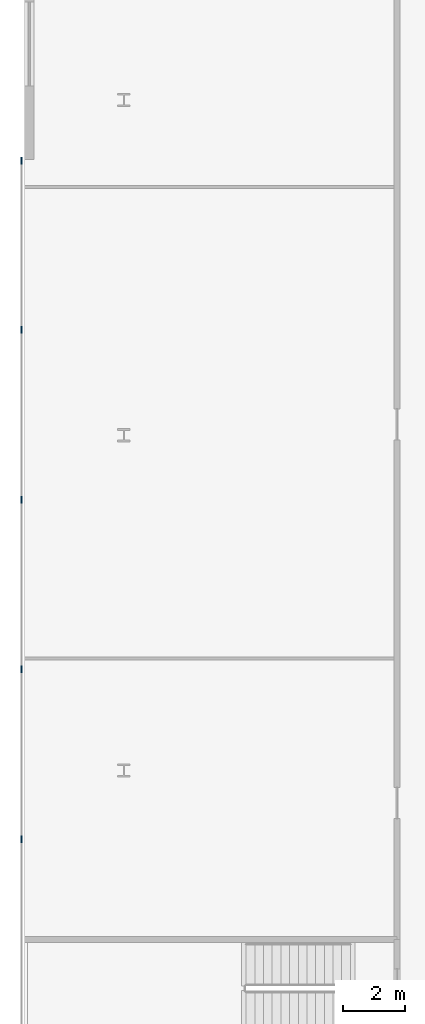
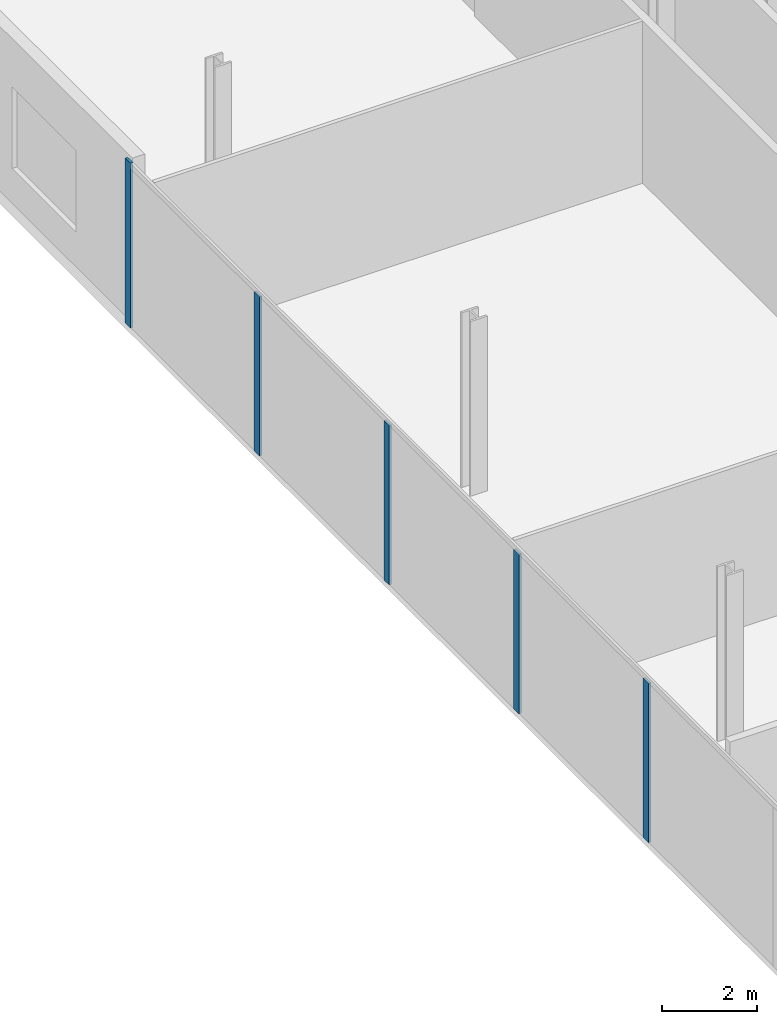
# One storey, part 9 of 47: 5 members, 1 element without a shape of its own.
"""IFC4 building model written with IfcOpenShell, lengths in metres."""

from ifc_helpers import new_model, si_unit, direction, frame, origin, origin_2d, place, context, subcontext, project, spatial, rectangle, extrude, material, layer, layer_set, material_profile, profile_set, type_object, element, aggregate, save


model = new_model("IFC4")

# Units and contexts
model_context = context("Model", 3, precision=1e-05, world=origin(), true_north=direction((0.0, 1.0)))
body_context = subcontext(model_context, "Body", "Model", "MODEL_VIEW")
ifc_project = project(units=[si_unit("LENGTHUNIT", "METRE"), si_unit("AREAUNIT", "SQUARE_METRE"), si_unit("VOLUMEUNIT", "CUBIC_METRE"), si_unit("PLANEANGLEUNIT", "RADIAN"), si_unit("MASSUNIT", "GRAM", prefix="KILO")], contexts=[model_context])

# Site, building, storey
site_placement = place(None, origin())
site = spatial("IfcSite", under=ifc_project, at=site_placement, CompositionType="ELEMENT")
building_placement = place(site_placement, origin())
building = spatial("IfcBuilding", under=site, at=building_placement, Name="Kheshtan School and Residences Tower", CompositionType="ELEMENT")
storey_placement = place(building_placement, frame((0.0, 0.0, 21.5)))
storey = spatial("IfcBuildingStorey", under=building, at=storey_placement, Name="L04", CompositionType="ELEMENT", Elevation=21.5)

# Curtain wall, members
ifc_material_1 = material(Name="Clear low-e glass in thermally broken aluminium frame", Category="aluminium")
ifc_layer = layer(ifc_material_1, 0.22509765625)
ifc_layer_set = layer_set([ifc_layer], Name="Curtain wall CW-P")
curtain_wall_type = type_object("IfcCurtainWallType", Name="Curtain wall CW-P", PredefinedType="NOTDEFINED", material=ifc_layer_set)
curtain_wall_placement = place(storey_placement, origin())
curtain_wall = element("IfcCurtainWall", 1, at=curtain_wall_placement, inside=storey, type_object=curtain_wall_type, Name="Curtain wall CWP16a", PredefinedType="NOTDEFINED")
ifc_material_2 = material(Name="Thermally broken aluminium, dark bronze anodised", Category="aluminium")
ifc_material_profile = material_profile(ifc_material_2, rectangle(XDim=0.06005859375, YDim=0.22509765625, at=origin_2d()), Name="CW-P mullion 60x225")
ifc_profile_set = profile_set([ifc_material_profile], Name="Thermally broken aluminium, dark bronze anodised")
member_type = type_object("IfcMemberType", Name="CW-P mullion 60x225", PredefinedType="MULLION", material=ifc_profile_set)
member_1_placement = place(storey_placement, frame((11.89990234375, 43.377685546875, 0.0), z_axis=(0.0, 0.0, 1.0), x_axis=(-1.0, 0.0, 0.0)))
member_1 = element("IfcMember", 2, at=member_1_placement, type_object=member_type, Name="CWP16a mullion 6", PredefinedType="MULLION", context=body_context, shape_type="SweptSolid", body=[
    extrude(rectangle(XDim=0.06005859375, YDim=0.22509765625, at=origin_2d()), origin(), (0.0, 0.0, 1.0), 4.110107421875),
])
member_2_placement = place(storey_placement, frame((11.89990234375, 48.853271484375, 0.0), z_axis=(0.0, 0.0, 1.0), x_axis=(-1.0, 0.0, 0.0)))
member_2 = element("IfcMember", 3, at=member_2_placement, type_object=member_type, Name="CWP16a mullion 7", PredefinedType="MULLION", context=body_context, shape_type="SweptSolid", body=[
    extrude(rectangle(XDim=0.06005859375, YDim=0.22509765625, at=origin_2d()), origin(), (0.0, 0.0, 1.0), 4.110107421875),
])
member_3_placement = place(storey_placement, frame((11.89990234375, 54.328857421875, 0.0), z_axis=(0.0, 0.0, 1.0), x_axis=(-1.0, 0.0, 0.0)))
member_3 = element("IfcMember", 4, at=member_3_placement, type_object=member_type, Name="CWP16a mullion 8", PredefinedType="MULLION", context=body_context, shape_type="SweptSolid", body=[
    extrude(rectangle(XDim=0.06005859375, YDim=0.22509765625, at=origin_2d()), origin(), (0.0, 0.0, 1.0), 4.110107421875),
])
member_4_placement = place(storey_placement, frame((11.89990234375, 59.804443359375, 0.0), z_axis=(0.0, 0.0, 1.0), x_axis=(-1.0, 0.0, 0.0)))
member_4 = element("IfcMember", 5, at=member_4_placement, type_object=member_type, Name="CWP16a mullion 9", PredefinedType="MULLION", context=body_context, shape_type="SweptSolid", body=[
    extrude(rectangle(XDim=0.06005859375, YDim=0.22509765625, at=origin_2d()), origin(), (0.0, 0.0, 1.0), 4.110107421875),
])
member_5_placement = place(storey_placement, frame((11.89990234375, 65.25, 0.0), z_axis=(0.0, 0.0, 1.0), x_axis=(-1.0, 0.0, 0.0)))
member_5 = element("IfcMember", 6, at=member_5_placement, type_object=member_type, Name="CWP16a mullion 10", PredefinedType="MULLION", context=body_context, shape_type="SweptSolid", body=[
    extrude(rectangle(XDim=0.06005859375, YDim=0.22509765625, at=origin_2d()), origin(), (0.0, 0.0, 1.0), 4.25),
])
aggregate(curtain_wall, [member_1, member_2, member_3, member_4, member_5])

save(model, "model.ifc")
